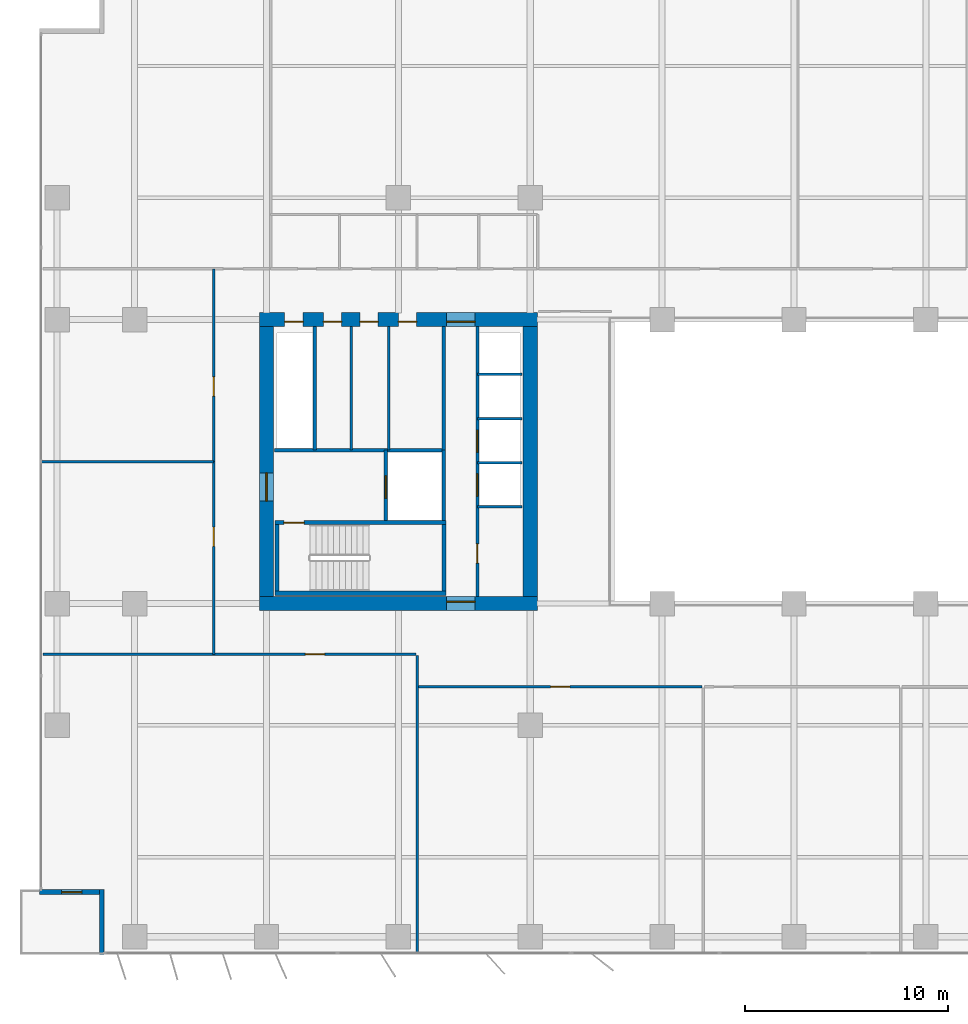
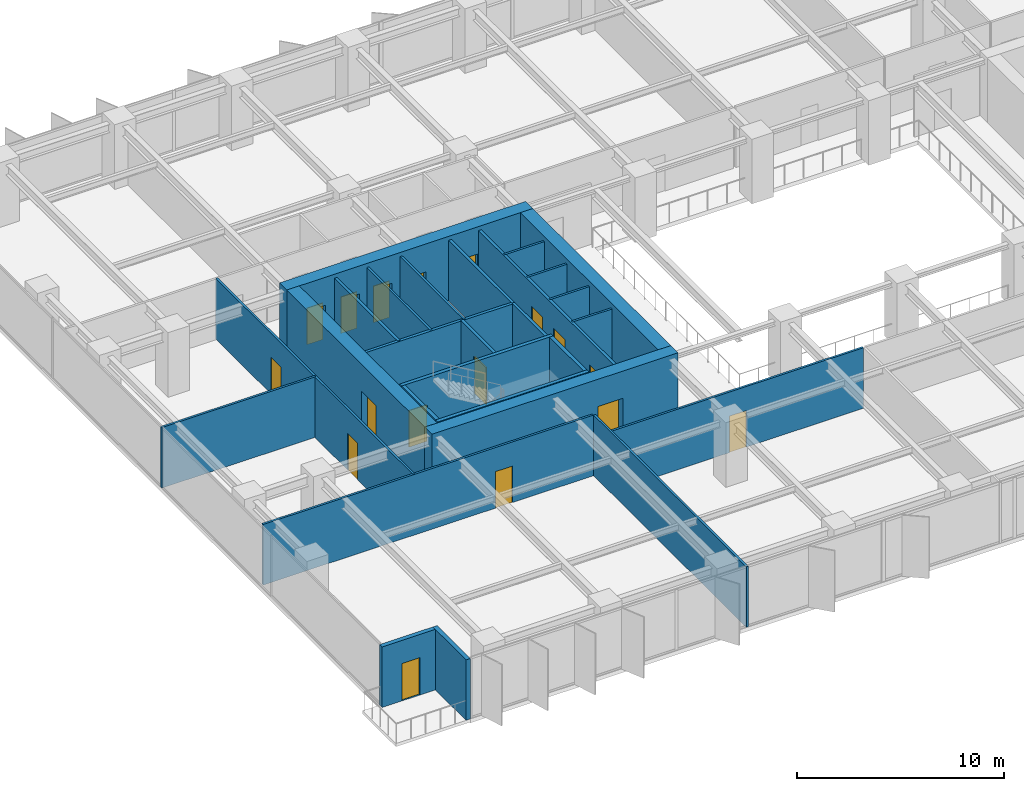
# One storey, part 13 of 20: 28 walls, 17 doors, 17 openings.
"""IFC4 building model written with IfcOpenShell, lengths in metres."""

from ifc_helpers import new_model, si_unit, direction, frame, frame_2d, origin, place, context, subcontext, project, spatial, rectangle, extrude, material, layer, layer_set, type_object, element, fill, save


model = new_model("IFC4")

# Units and contexts
model_context = context("Model", 3, precision=1e-05, world=origin(), true_north=direction((0.0, 1.0)))
body_context = subcontext(model_context, "Body", "Model", "MODEL_VIEW")
ifc_project = project(units=[si_unit("LENGTHUNIT", "METRE"), si_unit("AREAUNIT", "SQUARE_METRE"), si_unit("VOLUMEUNIT", "CUBIC_METRE"), si_unit("PLANEANGLEUNIT", "RADIAN"), si_unit("MASSUNIT", "GRAM", prefix="KILO")], contexts=[model_context])

# Site, building, storey
site_placement = place(None, origin())
site = spatial("IfcSite", under=ifc_project, at=site_placement, CompositionType="ELEMENT")
building_placement = place(site_placement, origin())
building = spatial("IfcBuilding", under=site, at=building_placement, Name="Putna Gate Headquarters", CompositionType="ELEMENT")
storey_placement = place(building_placement, frame((0.0, 0.0, 105.0)))
storey = spatial("IfcBuildingStorey", under=building, at=storey_placement, Name="L25", CompositionType="ELEMENT", Elevation=105.0)

# Wall, opening, door
ifc_material_1 = material(Name="Concrete C60/75", Category="concrete")
ifc_layer_1 = layer(ifc_material_1, 0.699951171875)
ifc_layer_set_1 = layer_set([ifc_layer_1], Name="Concrete C60/75")
wall_type_1 = type_object("IfcWallType", Name="WALL-CORE-700", PredefinedType="SHEAR", material=ifc_layer_set_1)
wall_1_placement = place(storey_placement, frame((12.64990234375, 19.0, 0.0), z_axis=(0.0, 0.0, 1.0), x_axis=(1.0, 0.0, 0.0)))
wall_1 = element("IfcWall", 1, at=wall_1_placement, inside=storey, type_object=wall_type_1, Name="L25 WC Split Core Shear Wall S", PredefinedType="SHEAR", context=body_context, shape_type="SweptSolid", body=[
    extrude(rectangle(XDim=13.7001953125, YDim=0.699951171875, at=frame_2d((6.85009765625, 0.0))), origin(), (0.0, 0.0, 1.0), 3.800048828125),
])
opening_1_placement = place(wall_1_placement, frame((9.22998046875, 0.0, 0.0)))
opening_1 = element("IfcOpeningElement", 2, at=opening_1_placement, cuts=wall_1, Name="Opening FDD-140", PredefinedType="OPENING", context=body_context, shape_type="SweptSolid", body=[
    extrude(rectangle(XDim=1.39990234375, YDim=2.199951171875, at=frame_2d((0.699951171875, 1.10009765625))), frame((0.0, 0.35986328125, 0.0), z_axis=(0.0, -1.0, 0.0), x_axis=(1.0, 0.0, 0.0)), (0.0, 0.0, 1.0), 0.719970703125),
])
ifc_material_2 = material(Name="Double steel fire door", Category="steel")
door_type_1 = type_object("IfcDoorType", Name="DOOR-FIRE-DBL-1400", OperationType="DOUBLE_DOOR_SINGLE_SWING", PredefinedType="DOOR", material=ifc_material_2)
door_1_placement = place(opening_1_placement, origin())
door_1 = element("IfcDoor", 3, at=door_1_placement, inside=storey, type_object=door_type_1, Name="L25 West Lift Lobby South Door", OperationType="DOUBLE_DOOR_SINGLE_SWING", OverallHeight=2.199951171875, OverallWidth=1.39990234375, PredefinedType="DOOR", context=body_context, shape_type="SweptSolid", body=[
    extrude(rectangle(XDim=1.39990234375, YDim=2.199951171875, at=frame_2d((0.699951171875, 1.10009765625))), frame((0.0, 0.125, 0.0), z_axis=(0.0, -1.0, 0.0), x_axis=(1.0, 0.0, 0.0)), (0.0, 0.0, 1.0), 0.050048828125),
])
fill(opening_1, door_1)

# Wall, openings, doors
wall_2_placement = place(storey_placement, frame((12.64990234375, 33.0, 0.0), z_axis=(0.0, 0.0, 1.0), x_axis=(1.0, 0.0, 0.0)))
wall_2 = element("IfcWall", 4, at=wall_2_placement, inside=storey, type_object=wall_type_1, Name="L25 WC Split Core Shear Wall N", PredefinedType="SHEAR", context=body_context, shape_type="SweptSolid", body=[
    extrude(rectangle(XDim=13.7001953125, YDim=0.699951171875, at=frame_2d((6.85009765625, 0.0))), origin(), (0.0, 0.0, 1.0), 3.800048828125),
])
opening_2_placement = place(wall_2_placement, frame((1.25, 0.0, 0.0)))
opening_2 = element("IfcOpeningElement", 5, at=opening_2_placement, cuts=wall_2, Name="Opening RD-90", PredefinedType="OPENING", context=body_context, shape_type="SweptSolid", body=[
    extrude(rectangle(XDim=0.89990234375, YDim=2.14990234375, at=frame_2d((0.449951171875, 1.074951171875))), frame((0.0, 0.35986328125, 0.0), z_axis=(0.0, -1.0, 0.0), x_axis=(1.0, 0.0, 0.0)), (0.0, 0.0, 1.0), 0.719970703125),
])
opening_3_placement = place(wall_2_placement, frame((3.14990234375, 0.0, 0.0)))
opening_3 = element("IfcOpeningElement", 6, at=opening_3_placement, cuts=wall_2, Name="Opening IDS-90", PredefinedType="OPENING", context=body_context, shape_type="SweptSolid", body=[
    extrude(rectangle(XDim=0.89990234375, YDim=2.14990234375, at=frame_2d((0.449951171875, 1.074951171875))), frame((0.0, 0.35986328125, 0.0), z_axis=(0.0, -1.0, 0.0), x_axis=(1.0, 0.0, 0.0)), (0.0, 0.0, 1.0), 0.719970703125),
])
opening_4_placement = place(wall_2_placement, frame((4.949951171875, 0.0, 0.0)))
opening_4 = element("IfcOpeningElement", 7, at=opening_4_placement, cuts=wall_2, Name="Opening IDS-90", PredefinedType="OPENING", context=body_context, shape_type="SweptSolid", body=[
    extrude(rectangle(XDim=0.89990234375, YDim=2.14990234375, at=frame_2d((0.449951171875, 1.074951171875))), frame((0.0, 0.35986328125, 0.0), z_axis=(0.0, -1.0, 0.0), x_axis=(1.0, 0.0, 0.0)), (0.0, 0.0, 1.0), 0.719970703125),
])
opening_5_placement = place(wall_2_placement, frame((6.85009765625, 0.0, 0.0)))
opening_5 = element("IfcOpeningElement", 8, at=opening_5_placement, cuts=wall_2, Name="Opening IDS-90", PredefinedType="OPENING", context=body_context, shape_type="SweptSolid", body=[
    extrude(rectangle(XDim=0.89990234375, YDim=2.14990234375, at=frame_2d((0.449951171875, 1.074951171875))), frame((0.0, 0.35986328125, 0.0), z_axis=(0.0, -1.0, 0.0), x_axis=(1.0, 0.0, 0.0)), (0.0, 0.0, 1.0), 0.719970703125),
])
opening_6_placement = place(wall_2_placement, frame((9.22998046875, 0.0, 0.0)))
opening_6 = element("IfcOpeningElement", 9, at=opening_6_placement, cuts=wall_2, Name="Opening FDD-140", PredefinedType="OPENING", context=body_context, shape_type="SweptSolid", body=[
    extrude(rectangle(XDim=1.39990234375, YDim=2.199951171875, at=frame_2d((0.699951171875, 1.10009765625))), frame((0.0, 0.35986328125, 0.0), z_axis=(0.0, -1.0, 0.0), x_axis=(1.0, 0.0, 0.0)), (0.0, 0.0, 1.0), 0.719970703125),
])
door_2_placement = place(opening_6_placement, origin())
door_2 = element("IfcDoor", 10, at=door_2_placement, inside=storey, type_object=door_type_1, Name="L25 West Lift Lobby North Door", OperationType="DOUBLE_DOOR_SINGLE_SWING", OverallHeight=2.199951171875, OverallWidth=1.39990234375, PredefinedType="DOOR", context=body_context, shape_type="SweptSolid", body=[
    extrude(rectangle(XDim=1.39990234375, YDim=2.199951171875, at=frame_2d((0.699951171875, 1.10009765625))), frame((0.0, -0.0751953125, 0.0), z_axis=(0.0, -1.0, 0.0), x_axis=(1.0, 0.0, 0.0)), (0.0, 0.0, 1.0), 0.050048828125),
])
fill(opening_6, door_2)
ifc_material_3 = material(Name="Fire-rated utility door")
door_type_2 = type_object("IfcDoorType", Name="DOOR-INT-900", OperationType="NOTDEFINED", PredefinedType="DOOR", material=ifc_material_3)
door_3_placement = place(opening_3_placement, origin())
door_3 = element("IfcDoor", 11, at=door_3_placement, inside=storey, type_object=door_type_2, Name="L25 Janitor Cupboard Door", OperationType="SINGLE_SWING_LEFT", OverallHeight=2.14990234375, OverallWidth=0.89990234375, PredefinedType="DOOR", context=body_context, shape_type="SweptSolid", body=[
    extrude(rectangle(XDim=0.89990234375, YDim=2.14990234375, at=frame_2d((0.449951171875, 1.074951171875))), frame((0.0, -0.0751953125, 0.0), z_axis=(0.0, -1.0, 0.0), x_axis=(1.0, 0.0, 0.0)), (0.0, 0.0, 1.0), 0.050048828125),
])
fill(opening_3, door_3)
door_4_placement = place(opening_4_placement, origin())
door_4 = element("IfcDoor", 12, at=door_4_placement, inside=storey, type_object=door_type_2, Name="L25 IT Patch Plant Door", OperationType="SINGLE_SWING_RIGHT", OverallHeight=2.14990234375, OverallWidth=0.89990234375, PredefinedType="DOOR", context=body_context, shape_type="SweptSolid", body=[
    extrude(rectangle(XDim=0.89990234375, YDim=2.14990234375, at=frame_2d((0.449951171875, 1.074951171875))), frame((0.0, -0.0751953125, 0.0), z_axis=(0.0, -1.0, 0.0), x_axis=(1.0, 0.0, 0.0)), (0.0, 0.0, 1.0), 0.050048828125),
])
fill(opening_4, door_4)
door_5_placement = place(opening_5_placement, origin())
door_5 = element("IfcDoor", 13, at=door_5_placement, inside=storey, type_object=door_type_2, Name="L25 Building Records Store Door", OperationType="SINGLE_SWING_LEFT", OverallHeight=2.14990234375, OverallWidth=0.89990234375, PredefinedType="DOOR", context=body_context, shape_type="SweptSolid", body=[
    extrude(rectangle(XDim=0.89990234375, YDim=2.14990234375, at=frame_2d((0.449951171875, 1.074951171875))), frame((0.0, -0.0751953125, 0.0), z_axis=(0.0, -1.0, 0.0), x_axis=(1.0, 0.0, 0.0)), (0.0, 0.0, 1.0), 0.050048828125),
])
fill(opening_5, door_5)
ifc_material_4 = material(Name="Steel riser access fire door", Category="steel")
door_type_3 = type_object("IfcDoorType", Name="DOOR-RISER-900", OperationType="NOTDEFINED", PredefinedType="DOOR", material=ifc_material_4)
door_6_placement = place(opening_2_placement, origin())
door_6 = element("IfcDoor", 14, at=door_6_placement, inside=storey, type_object=door_type_3, Name="L25 West Riser Access Door", OperationType="SINGLE_SWING_RIGHT", OverallHeight=2.14990234375, OverallWidth=0.89990234375, PredefinedType="DOOR", context=body_context, shape_type="SweptSolid", body=[
    extrude(rectangle(XDim=0.89990234375, YDim=2.14990234375, at=frame_2d((0.449951171875, 1.074951171875))), frame((0.0, -0.0751953125, 0.0), z_axis=(0.0, -1.0, 0.0), x_axis=(1.0, 0.0, 0.0)), (0.0, 0.0, 1.0), 0.050048828125),
])
fill(opening_2, door_6)

# Wall, opening, door
wall_3_placement = place(storey_placement, frame((13.0, 19.35009765625, 0.0), z_axis=(0.0, 0.0, 1.0), x_axis=(0.0, 1.0, 0.0)))
wall_3 = element("IfcWall", 15, at=wall_3_placement, inside=storey, type_object=wall_type_1, Name="L25 WC Split Core Shear Wall W", PredefinedType="SHEAR", context=body_context, shape_type="SweptSolid", body=[
    extrude(rectangle(XDim=13.2998046875, YDim=0.699951171875, at=frame_2d((6.64990234375, 0.0))), origin(), (0.0, 0.0, 1.0), 3.800048828125),
])
opening_7_placement = place(wall_3_placement, frame((4.699951171875, 0.0, 0.0)))
opening_7 = element("IfcOpeningElement", 16, at=opening_7_placement, cuts=wall_3, Name="Opening FDD-140", PredefinedType="OPENING", context=body_context, shape_type="SweptSolid", body=[
    extrude(rectangle(XDim=1.39990234375, YDim=2.199951171875, at=frame_2d((0.699951171875, 1.10009765625))), frame((0.0, 0.35986328125, 0.0), z_axis=(0.0, -1.0, 0.0), x_axis=(1.0, 0.0, 0.0)), (0.0, 0.0, 1.0), 0.719970703125),
])
door_7_placement = place(opening_7_placement, origin())
door_7 = element("IfcDoor", 17, at=door_7_placement, inside=storey, type_object=door_type_1, Name="L25 West Firefighting Lobby Door", OperationType="DOUBLE_DOOR_SINGLE_SWING", OverallHeight=2.199951171875, OverallWidth=1.39990234375, PredefinedType="DOOR", context=body_context, shape_type="SweptSolid", body=[
    extrude(rectangle(XDim=1.39990234375, YDim=2.199951171875, at=frame_2d((0.699951171875, 1.10009765625))), frame((0.0, 0.02490234375, 0.0), z_axis=(0.0, -1.0, 0.0), x_axis=(1.0, 0.0, 0.0)), (0.0, 0.0, 1.0), 0.050048828125),
])
fill(opening_7, door_7)

# Walls
wall_4_placement = place(storey_placement, frame((26.0, 19.35009765625, 0.0), z_axis=(0.0, 0.0, 1.0), x_axis=(0.0, 1.0, 0.0)))
element("IfcWall", 18, at=wall_4_placement, inside=storey, type_object=wall_type_1, Name="L25 WC Split Core Shear Wall E", PredefinedType="SHEAR", context=body_context, shape_type="SweptSolid", body=[
    extrude(rectangle(XDim=13.2998046875, YDim=0.699951171875, at=frame_2d((6.64990234375, 0.0))), origin(), (0.0, 0.0, 1.0), 3.800048828125),
])
ifc_material_5 = material(Name="Precast concrete C40/50", Category="concrete")
ifc_layer_2 = layer(ifc_material_5, 0.239990234375)
ifc_layer_set_2 = layer_set([ifc_layer_2], Name="Precast concrete C40/50")
wall_type_2 = type_object("IfcWallType", Name="WALL-EXT-TERR-240", PredefinedType="STANDARD", material=ifc_layer_set_2)
wall_5_placement = place(storey_placement, frame((4.8798828125, 1.699951171875, 0.0), z_axis=(0.0, 0.0, 1.0), x_axis=(0.0, 1.0, 0.0)))
element("IfcWall", 19, at=wall_5_placement, inside=storey, type_object=wall_type_2, Name="L25 Corner Notch Return Wall SW-V", PredefinedType="STANDARD", context=body_context, shape_type="SweptSolid", body=[
    extrude(rectangle(XDim=3.199951171875, YDim=0.239990234375, at=frame_2d((1.60009765625, 0.0))), origin(), (0.0, 0.0, 1.0), 3.56494140625),
])

# Wall, opening, door
wall_6_placement = place(storey_placement, frame((5.0, 4.780029296875, 0.0), z_axis=(0.0, 0.0, 1.0), x_axis=(-1.0, 0.0, 0.0)))
wall_6 = element("IfcWall", 20, at=wall_6_placement, inside=storey, type_object=wall_type_2, Name="L25 Corner Notch Return Wall SW-H", PredefinedType="STANDARD", context=body_context, shape_type="SweptSolid", body=[
    extrude(rectangle(XDim=3.199951171875, YDim=0.239990234375, at=frame_2d((1.60009765625, 0.0))), origin(), (0.0, 0.0, 1.0), 3.56494140625),
])
opening_8_placement = place(wall_6_placement, frame((1.10009765625, 0.0, 0.0)))
opening_8 = element("IfcOpeningElement", 21, at=opening_8_placement, cuts=wall_6, Name="Opening TRD-1", PredefinedType="OPENING", context=body_context, shape_type="SweptSolid", body=[
    extrude(rectangle(XDim=1.0, YDim=2.199951171875, at=frame_2d((0.5, 1.10009765625))), frame((0.0, 0.1298828125, 0.0), z_axis=(0.0, -1.0, 0.0), x_axis=(1.0, 0.0, 0.0)), (0.0, 0.0, 1.0), 0.260009765625),
])
ifc_material_6 = material(Name="Thermally broken bronze glazed terrace door")
door_type_4 = type_object("IfcDoorType", Name="DOOR-TERR-EXT-1000", OperationType="NOTDEFINED", PredefinedType="DOOR", material=ifc_material_6)
door_8_placement = place(opening_8_placement, origin())
door_8 = element("IfcDoor", 22, at=door_8_placement, inside=storey, type_object=door_type_4, Name="L25 Spiral Sky Terrace Door SW", OperationType="SINGLE_SWING_LEFT", OverallHeight=2.199951171875, OverallWidth=1.0, PredefinedType="DOOR", context=body_context, shape_type="SweptSolid", body=[
    extrude(rectangle(XDim=1.0, YDim=2.199951171875, at=frame_2d((0.5, 1.10009765625))), frame((0.0, 0.02490234375, 0.0), z_axis=(0.0, -1.0, 0.0), x_axis=(1.0, 0.0, 0.0)), (0.0, 0.0, 1.0), 0.050048828125),
])
fill(opening_8, door_8)

# Walls
ifc_material_7 = material(Name="Acoustic gypsum board on metal stud")
ifc_layer_3 = layer(ifc_material_7, 0.1201171875)
ifc_layer_set_3 = layer_set([ifc_layer_3], Name="Acoustic gypsum board on metal stud")
wall_type_3 = type_object("IfcWallType", Name="WALL-PART-120", PredefinedType="PARTITIONING", material=ifc_layer_set_3)
wall_7_placement = place(storey_placement, frame((20.430908203125, 1.719970703125, 0.0), z_axis=(0.0, 0.0, 1.0), x_axis=(0.0, 1.0, 0.0)))
element("IfcWall", 23, at=wall_7_placement, inside=storey, type_object=wall_type_3, Name="L25 Interior Wall PART-L25-SB-DIV-01", PredefinedType="PARTITIONING", context=body_context, shape_type="SweptSolid", body=[
    extrude(rectangle(XDim=14.719970703125, YDim=0.1201171875, at=frame_2d((7.35986328125, 0.0))), origin(), (0.0, 0.0, 1.0), 3.56494140625),
])
wall_8_placement = place(storey_placement, frame((1.820068359375, 26.0, 0.0), z_axis=(0.0, 0.0, 1.0), x_axis=(1.0, 0.0, 0.0)))
element("IfcWall", 24, at=wall_8_placement, inside=storey, type_object=wall_type_3, Name="L25 Interior Wall PART-L25-WW-DIV-1", PredefinedType="PARTITIONING", context=body_context, shape_type="SweptSolid", body=[
    extrude(rectangle(XDim=8.579833984375, YDim=0.1201171875, at=frame_2d((4.2900390625, 0.0))), origin(), (0.0, 0.0, 1.0), 3.56494140625),
])
ifc_material_8 = material(Name="Fire-rated shaftwall gypsum board on metal stud")
ifc_layer_4 = layer(ifc_material_8, 0.1201171875)
ifc_layer_set_4 = layer_set([ifc_layer_4], Name="Fire-rated shaftwall gypsum board on metal stud")
wall_type_4 = type_object("IfcWallType", Name="WALL-PART-120-EI120", PredefinedType="PARTITIONING", material=ifc_layer_set_4)
for number, where, z_axis, x_axis, name in (
    (25, (23.39990234375, 25.949951171875, 0.0), (0.0, 0.0, 1.0), (1.0, 0.0, 0.0), "L25 Interior Wall CWINT-L25-WC-LF05-DIV"),
    (26, (23.39990234375, 28.1201171875, 0.0), (0.0, 0.0, 1.0), (1.0, 0.0, 0.0), "L25 Interior Wall CWINT-L25-WC-LF06-DIV"),
    (27, (23.39990234375, 30.31005859375, 0.0), (0.0, 0.0, 1.0), (1.0, 0.0, 0.0), "L25 Interior Wall CWINT-L25-WC-LF09-DIV"),
):
    element("IfcWall", number, at=place(storey_placement, frame(where, z_axis=z_axis, x_axis=x_axis)), inside=storey, type_object=wall_type_4, Name=name, PredefinedType="PARTITIONING", context=body_context, shape_type="SweptSolid", body=[
        extrude(rectangle(XDim=2.2001953125, YDim=0.1201171875, at=frame_2d((1.10009765625, 0.0))), origin(), (0.0, 0.0, 1.0), 3.56494140625),
    ])
ifc_material_9 = material(Name="Fire-rated gypsum board on metal stud")
ifc_layer_5 = layer(ifc_material_9, 0.1201171875)
ifc_layer_set_5 = layer_set([ifc_layer_5], Name="Fire-rated gypsum board on metal stud")
wall_type_5 = type_object("IfcWallType", Name="WALL-PART-120-RATED", PredefinedType="PARTITIONING", material=ifc_layer_set_5)
for number, where, z_axis, x_axis, name in (
    (28, (17.169921875, 26.56005859375, 0.0), (0.0, 0.0, 1.0), (0.0, 1.0, 0.0), "L25 Interior Wall CWINT-L25-WC-K2-D1"),
    (29, (19.02001953125, 26.56005859375, 0.0), (0.0, 0.0, 1.0), (0.0, 1.0, 0.0), "L25 Interior Wall CWINT-L25-WC-K2-D2"),
):
    element("IfcWall", number, at=place(storey_placement, frame(where, z_axis=z_axis, x_axis=x_axis)), inside=storey, type_object=wall_type_5, Name=name, PredefinedType="PARTITIONING", context=body_context, shape_type="SweptSolid", body=[
        extrude(rectangle(XDim=6.08984375, YDim=0.1201171875, at=frame_2d((3.044921875, 0.0))), origin(), (0.0, 0.0, 1.0), 3.56494140625),
    ])
wall_9_placement = place(storey_placement, frame((23.39990234375, 23.780029296875, 0.0), z_axis=(0.0, 0.0, 1.0), x_axis=(1.0, 0.0, 0.0)))
element("IfcWall", 30, at=wall_9_placement, inside=storey, type_object=wall_type_5, Name="L25 Interior Wall CWINT-L25-WC-LF02-DIV", PredefinedType="PARTITIONING", context=body_context, shape_type="SweptSolid", body=[
    extrude(rectangle(XDim=2.2001953125, YDim=0.1201171875, at=frame_2d((1.10009765625, 0.0))), origin(), (0.0, 0.0, 1.0), 3.56494140625),
])

# Wall, opening, door
wall_10_placement = place(storey_placement, frame((1.97998046875, 16.5, 0.0), z_axis=(0.0, 0.0, 1.0), x_axis=(1.0, 0.0, 0.0)))
wall_10 = element("IfcWall", 31, at=wall_10_placement, inside=storey, type_object=wall_type_5, Name="L25 Interior Wall PART-L25-SB-CW-01", PredefinedType="PARTITIONING", context=body_context, shape_type="SweptSolid", body=[
    extrude(rectangle(XDim=18.390869140625, YDim=0.1201171875, at=frame_2d((9.1953125, 0.0))), origin(), (0.0, 0.0, 1.0), 3.56494140625),
])
opening_9_placement = place(wall_10_placement, frame((12.930419921875, 0.0, 0.0)))
opening_9 = element("IfcOpeningElement", 32, at=opening_9_placement, cuts=wall_10, Name="Opening FD-95", PredefinedType="OPENING", context=body_context, shape_type="SweptSolid", body=[
    extrude(rectangle(XDim=0.949951171875, YDim=2.14990234375, at=frame_2d((0.47509765625, 1.074951171875))), frame((0.0, 0.070068359375, 0.0), z_axis=(0.0, -1.0, 0.0), x_axis=(1.0, 0.0, 0.0)), (0.0, 0.0, 1.0), 0.14013671875),
])
ifc_material_10 = material(Name="Acoustic timber fire door", Category="wood")
door_type_5 = type_object("IfcDoorType", Name="DOOR-FIRE-950", OperationType="NOTDEFINED", PredefinedType="DOOR", material=ifc_material_10)
door_9_placement = place(opening_9_placement, origin())
door_9 = element("IfcDoor", 33, at=door_9_placement, inside=storey, type_object=door_type_5, Name="L25 Cellular Office 2 Door", OperationType="SINGLE_SWING_RIGHT", OverallHeight=2.14990234375, OverallWidth=0.949951171875, PredefinedType="DOOR", context=body_context, shape_type="SweptSolid", body=[
    extrude(rectangle(XDim=0.949951171875, YDim=2.14990234375, at=frame_2d((0.47509765625, 1.074951171875))), frame((0.0, 0.02490234375, 0.0), z_axis=(0.0, -1.0, 0.0), x_axis=(1.0, 0.0, 0.0)), (0.0, 0.0, 1.0), 0.050048828125),
])
fill(opening_9, door_9)

wall_11_placement = place(storey_placement, frame((20.49072265625, 14.89990234375, 0.0), z_axis=(0.0, 0.0, 1.0), x_axis=(1.0, 0.0, 0.0)))
wall_11 = element("IfcWall", 34, at=wall_11_placement, inside=storey, type_object=wall_type_5, Name="L25 Interior Wall PART-L25-SB-CW-02", PredefinedType="PARTITIONING", context=body_context, shape_type="SweptSolid", body=[
    extrude(rectangle(XDim=13.977294921875, YDim=0.1201171875, at=frame_2d((6.98876953125, 0.0))), origin(), (0.0, 0.0, 1.0), 3.56494140625),
])
opening_10_placement = place(wall_11_placement, frame((6.513671875, 0.0, 0.0)))
opening_10 = element("IfcOpeningElement", 35, at=opening_10_placement, cuts=wall_11, Name="Opening FD-95", PredefinedType="OPENING", context=body_context, shape_type="SweptSolid", body=[
    extrude(rectangle(XDim=0.949951171875, YDim=2.14990234375, at=frame_2d((0.47509765625, 1.074951171875))), frame((0.0, 0.070068359375, 0.0), z_axis=(0.0, -1.0, 0.0), x_axis=(1.0, 0.0, 0.0)), (0.0, 0.0, 1.0), 0.14013671875),
])
door_10_placement = place(opening_10_placement, origin())
door_10 = element("IfcDoor", 36, at=door_10_placement, inside=storey, type_object=door_type_5, Name="L25 Collaborative Breakout Lounge 1 Door", OperationType="SINGLE_SWING_LEFT", OverallHeight=2.14990234375, OverallWidth=0.949951171875, PredefinedType="DOOR", context=body_context, shape_type="SweptSolid", body=[
    extrude(rectangle(XDim=0.949951171875, YDim=2.14990234375, at=frame_2d((0.47509765625, 1.074951171875))), frame((0.0, 0.02490234375, 0.0), z_axis=(0.0, -1.0, 0.0), x_axis=(1.0, 0.0, 0.0)), (0.0, 0.0, 1.0), 0.050048828125),
])
fill(opening_10, door_10)

wall_12_placement = place(storey_placement, frame((10.39990234375, 16.5, 0.0), z_axis=(0.0, 0.0, 1.0), x_axis=(0.0, 1.0, 0.0)))
wall_12 = element("IfcWall", 37, at=wall_12_placement, inside=storey, type_object=wall_type_5, Name="L25 Interior Wall PART-L25-WW-CW-1", PredefinedType="PARTITIONING", context=body_context, shape_type="SweptSolid", body=[
    extrude(rectangle(XDim=9.5, YDim=0.1201171875, at=frame_2d((4.75, 0.0))), origin(), (0.0, 0.0, 1.0), 3.56494140625),
])
opening_11_placement = place(wall_12_placement, frame((5.324951171875, 0.0, 0.0)))
opening_11 = element("IfcOpeningElement", 38, at=opening_11_placement, cuts=wall_12, Name="Opening FD-95", PredefinedType="OPENING", context=body_context, shape_type="SweptSolid", body=[
    extrude(rectangle(XDim=0.949951171875, YDim=2.14990234375, at=frame_2d((0.47509765625, 1.074951171875))), frame((0.0, 0.070068359375, 0.0), z_axis=(0.0, -1.0, 0.0), x_axis=(1.0, 0.0, 0.0)), (0.0, 0.0, 1.0), 0.14013671875),
])
door_11_placement = place(opening_11_placement, origin())
door_11 = element("IfcDoor", 39, at=door_11_placement, inside=storey, type_object=door_type_5, Name="L25 West Project Meeting Room 1 Door", OperationType="SINGLE_SWING_LEFT", OverallHeight=2.14990234375, OverallWidth=0.949951171875, PredefinedType="DOOR", context=body_context, shape_type="SweptSolid", body=[
    extrude(rectangle(XDim=0.949951171875, YDim=2.14990234375, at=frame_2d((0.47509765625, 1.074951171875))), frame((0.0, 0.02490234375, 0.0), z_axis=(0.0, -1.0, 0.0), x_axis=(1.0, 0.0, 0.0)), (0.0, 0.0, 1.0), 0.050048828125),
])
fill(opening_11, door_11)

wall_13_placement = place(storey_placement, frame((10.39990234375, 26.0, 0.0), z_axis=(0.0, 0.0, 1.0), x_axis=(0.0, 1.0, 0.0)))
wall_13 = element("IfcWall", 40, at=wall_13_placement, inside=storey, type_object=wall_type_5, Name="L25 Interior Wall PART-L25-WW-CW-2", PredefinedType="PARTITIONING", context=body_context, shape_type="SweptSolid", body=[
    extrude(rectangle(XDim=9.5, YDim=0.1201171875, at=frame_2d((4.75, 0.0))), origin(), (0.0, 0.0, 1.0), 3.56494140625),
])
opening_12_placement = place(wall_13_placement, frame((3.22509765625, 0.0, 0.0)))
opening_12 = element("IfcOpeningElement", 41, at=opening_12_placement, cuts=wall_13, Name="Opening FD-95", PredefinedType="OPENING", context=body_context, shape_type="SweptSolid", body=[
    extrude(rectangle(XDim=0.949951171875, YDim=2.14990234375, at=frame_2d((0.47509765625, 1.074951171875))), frame((0.0, 0.070068359375, 0.0), z_axis=(0.0, -1.0, 0.0), x_axis=(1.0, 0.0, 0.0)), (0.0, 0.0, 1.0), 0.14013671875),
])
door_12_placement = place(opening_12_placement, origin())
door_12 = element("IfcDoor", 42, at=door_12_placement, inside=storey, type_object=door_type_5, Name="L25 West Project Meeting Room 2 Door", OperationType="SINGLE_SWING_RIGHT", OverallHeight=2.14990234375, OverallWidth=0.949951171875, PredefinedType="DOOR", context=body_context, shape_type="SweptSolid", body=[
    extrude(rectangle(XDim=0.949951171875, YDim=2.14990234375, at=frame_2d((0.47509765625, 1.074951171875))), frame((0.0, 0.02490234375, 0.0), z_axis=(0.0, -1.0, 0.0), x_axis=(1.0, 0.0, 0.0)), (0.0, 0.0, 1.0), 0.050048828125),
])
fill(opening_12, door_12)

# Wall
ifc_material_11 = material(Name="Concrete C40/50", Category="concrete")
ifc_layer_6 = layer(ifc_material_11, 0.159912109375)
ifc_layer_set_6 = layer_set([ifc_layer_6], Name="Concrete C40/50")
wall_type_6 = type_object("IfcWallType", Name="WALL-SHAFT-160", PredefinedType="STANDARD", material=ifc_layer_set_6)
wall_14_placement = place(storey_placement, frame((21.739990234375, 23.090087890625, 0.0), z_axis=(0.0, 0.0, 1.0), x_axis=(0.0, 1.0, 0.0)))
element("IfcWall", 43, at=wall_14_placement, inside=storey, type_object=wall_type_6, Name="L25 Interior Wall CWINT-L25-WC-FFL-E", PredefinedType="STANDARD", context=body_context, shape_type="SweptSolid", body=[
    extrude(rectangle(XDim=3.469970703125, YDim=0.159912109375, at=frame_2d((1.73486328125, 0.0))), origin(), (0.0, 0.0, 1.0), 3.56494140625),
])

# Wall, opening, door
wall_15_placement = place(storey_placement, frame((18.8798828125, 23.090087890625, 0.0), z_axis=(0.0, 0.0, 1.0), x_axis=(0.0, 1.0, 0.0)))
wall_15 = element("IfcWall", 44, at=wall_15_placement, inside=storey, type_object=wall_type_6, Name="L25 Interior Wall CWINT-L25-WC-LF13-W", PredefinedType="STANDARD", context=body_context, shape_type="SweptSolid", body=[
    extrude(rectangle(XDim=3.469970703125, YDim=0.159912109375, at=frame_2d((1.73486328125, 0.0))), origin(), (0.0, 0.0, 1.0), 3.56494140625),
])
opening_13_placement = place(wall_15_placement, frame((1.10009765625, 0.0, 0.0)))
opening_13 = element("IfcOpeningElement", 45, at=opening_13_placement, cuts=wall_15, Name="Opening LD-1", PredefinedType="OPENING", context=body_context, shape_type="SweptSolid", body=[
    extrude(rectangle(XDim=1.10009765625, YDim=2.199951171875, at=frame_2d((0.550048828125, 1.10009765625))), frame((0.0, 0.08984375, 0.0), z_axis=(0.0, -1.0, 0.0), x_axis=(1.0, 0.0, 0.0)), (0.0, 0.0, 1.0), 0.179931640625),
])
ifc_material_12 = material(Name="Brushed bronze stainless lift landing door")
door_type_6 = type_object("IfcDoorType", Name="DOOR-LIFT-1100", OperationType="DOUBLE_DOOR_SLIDING", PredefinedType="DOOR", material=ifc_material_12)
door_13_placement = place(opening_13_placement, origin())
door_13 = element("IfcDoor", 46, at=door_13_placement, inside=storey, type_object=door_type_6, Name="L25 Lift Landing Door LD-13", OperationType="DOUBLE_DOOR_SLIDING", OverallHeight=2.199951171875, OverallWidth=1.10009765625, PredefinedType="DOOR", context=body_context, shape_type="SweptSolid", body=[
    extrude(rectangle(XDim=1.10009765625, YDim=2.199951171875, at=frame_2d((0.550048828125, 1.10009765625))), frame((0.0, 0.02490234375, 0.0), z_axis=(0.0, -1.0, 0.0), x_axis=(1.0, 0.0, 0.0)), (0.0, 0.0, 1.0), 0.050048828125),
])
fill(opening_13, door_13)

# Walls
wall_16_placement = place(storey_placement, frame((13.39990234375, 26.56005859375, 0.0), z_axis=(0.0, 0.0, 1.0), x_axis=(1.0, 0.0, 0.0)))
element("IfcWall", 47, at=wall_16_placement, inside=storey, type_object=wall_type_6, Name="L25 Interior Wall CWINT-L25-WC-FFL-N", PredefinedType="STANDARD", context=body_context, shape_type="SweptSolid", body=[
    extrude(rectangle(XDim=8.340087890625, YDim=0.159912109375, at=frame_2d((4.169921875, 0.0))), origin(), (0.0, 0.0, 1.0), 3.56494140625),
])
for number, where, z_axis, x_axis, name in (
    (48, (15.3798828125, 26.56005859375, 0.0), (0.0, 0.0, 1.0), (0.0, 1.0, 0.0), "L25 Interior Wall CWINT-L25-WC-RISER-E"),
    (49, (21.739990234375, 26.56005859375, 0.0), (0.0, 0.0, 1.0), (0.0, 1.0, 0.0), "L25 Interior Wall CWINT-L25-WC-LOB-W"),
):
    element("IfcWall", number, at=place(storey_placement, frame(where, z_axis=z_axis, x_axis=x_axis)), inside=storey, type_object=wall_type_6, Name=name, PredefinedType="STANDARD", context=body_context, shape_type="SweptSolid", body=[
        extrude(rectangle(XDim=6.08984375, YDim=0.159912109375, at=frame_2d((3.044921875, 0.0))), origin(), (0.0, 0.0, 1.0), 3.56494140625),
    ])

# Wall, openings, doors
wall_17_placement = place(storey_placement, frame((23.39990234375, 19.35009765625, 0.0), z_axis=(0.0, 0.0, 1.0), x_axis=(0.0, 1.0, 0.0)))
wall_17 = element("IfcWall", 50, at=wall_17_placement, inside=storey, type_object=wall_type_6, Name="L25 Interior Wall CWINT-L25-WC-PL-WALL", PredefinedType="STANDARD", context=body_context, shape_type="SweptSolid", body=[
    extrude(rectangle(XDim=13.2998046875, YDim=0.159912109375, at=frame_2d((6.64990234375, 0.0))), origin(), (0.0, 0.0, 1.0), 3.56494140625),
])
opening_14_placement = place(wall_17_placement, frame((1.64990234375, 0.0, 0.0)))
opening_14 = element("IfcOpeningElement", 51, at=opening_14_placement, cuts=wall_17, Name="Opening IDS-95", PredefinedType="OPENING", context=body_context, shape_type="SweptSolid", body=[
    extrude(rectangle(XDim=0.949951171875, YDim=2.14990234375, at=frame_2d((0.47509765625, 1.074951171875))), frame((0.0, 0.08984375, 0.0), z_axis=(0.0, -1.0, 0.0), x_axis=(1.0, 0.0, 0.0)), (0.0, 0.0, 1.0), 0.179931640625),
])
opening_15_placement = place(wall_17_placement, frame((4.949951171875, 0.0, 0.0)))
opening_15 = element("IfcOpeningElement", 52, at=opening_15_placement, cuts=wall_17, Name="Opening LD-1", PredefinedType="OPENING", context=body_context, shape_type="SweptSolid", body=[
    extrude(rectangle(XDim=1.10009765625, YDim=2.199951171875, at=frame_2d((0.550048828125, 1.10009765625))), frame((0.0, 0.08984375, 0.0), z_axis=(0.0, -1.0, 0.0), x_axis=(1.0, 0.0, 0.0)), (0.0, 0.0, 1.0), 0.179931640625),
])
opening_16_placement = place(wall_17_placement, frame((7.10009765625, 0.0, 0.0)))
opening_16 = element("IfcOpeningElement", 53, at=opening_16_placement, cuts=wall_17, Name="Opening LD-1", PredefinedType="OPENING", context=body_context, shape_type="SweptSolid", body=[
    extrude(rectangle(XDim=1.10009765625, YDim=2.199951171875, at=frame_2d((0.550048828125, 1.10009765625))), frame((0.0, 0.08984375, 0.0), z_axis=(0.0, -1.0, 0.0), x_axis=(1.0, 0.0, 0.0)), (0.0, 0.0, 1.0), 0.179931640625),
])
ifc_material_13 = material(Name="Fire-rated service timber door", Category="wood")
door_type_7 = type_object("IfcDoorType", Name="DOOR-INT-950", OperationType="NOTDEFINED", PredefinedType="DOOR", material=ifc_material_13)
door_14_placement = place(opening_14_placement, origin())
door_14 = element("IfcDoor", 54, at=door_14_placement, inside=storey, type_object=door_type_7, Name="L25 Document Archive Door", OperationType="SINGLE_SWING_LEFT", OverallHeight=2.14990234375, OverallWidth=0.949951171875, PredefinedType="DOOR", context=body_context, shape_type="SweptSolid", body=[
    extrude(rectangle(XDim=0.949951171875, YDim=2.14990234375, at=frame_2d((0.47509765625, 1.074951171875))), frame((0.0, 0.02490234375, 0.0), z_axis=(0.0, -1.0, 0.0), x_axis=(1.0, 0.0, 0.0)), (0.0, 0.0, 1.0), 0.050048828125),
])
fill(opening_14, door_14)
door_15_placement = place(opening_15_placement, origin())
door_15 = element("IfcDoor", 55, at=door_15_placement, inside=storey, type_object=door_type_6, Name="L25 Lift Landing Door LD-05", OperationType="DOUBLE_DOOR_SLIDING", OverallHeight=2.199951171875, OverallWidth=1.10009765625, PredefinedType="DOOR", context=body_context, shape_type="SweptSolid", body=[
    extrude(rectangle(XDim=1.10009765625, YDim=2.199951171875, at=frame_2d((0.550048828125, 1.10009765625))), frame((0.0, 0.02490234375, 0.0), z_axis=(0.0, -1.0, 0.0), x_axis=(1.0, 0.0, 0.0)), (0.0, 0.0, 1.0), 0.050048828125),
])
fill(opening_15, door_15)
door_16_placement = place(opening_16_placement, origin())
door_16 = element("IfcDoor", 56, at=door_16_placement, inside=storey, type_object=door_type_6, Name="L25 Lift Landing Door LD-06", OperationType="DOUBLE_DOOR_SLIDING", OverallHeight=2.199951171875, OverallWidth=1.10009765625, PredefinedType="DOOR", context=body_context, shape_type="SweptSolid", body=[
    extrude(rectangle(XDim=1.10009765625, YDim=2.199951171875, at=frame_2d((0.550048828125, 1.10009765625))), frame((0.0, 0.02490234375, 0.0), z_axis=(0.0, -1.0, 0.0), x_axis=(1.0, 0.0, 0.0)), (0.0, 0.0, 1.0), 0.050048828125),
])
fill(opening_16, door_16)

# Wall
ifc_layer_7 = layer(ifc_material_11, 0.199951171875)
ifc_layer_set_7 = layer_set([ifc_layer_7], Name="Concrete C40/50")
wall_type_7 = type_object("IfcWallType", Name="WALL-SHAFT-RC200", PredefinedType="SHEAR", material=ifc_layer_set_7)
wall_18_placement = place(storey_placement, frame((13.409912109375, 19.510009765625, 0.0), z_axis=(0.0, 0.0, 1.0), x_axis=(1.0, 0.0, 0.0)))
element("IfcWall", 57, at=wall_18_placement, inside=storey, type_object=wall_type_7, Name="L25 Stair ST1 Structural Shaft Wall S", PredefinedType="SHEAR", context=body_context, shape_type="SweptSolid", body=[
    extrude(rectangle(XDim=8.43017578125, YDim=0.199951171875, at=frame_2d((4.215087890625, 0.0))), origin(), (0.0, 0.0, 1.0), 3.800048828125),
])

# Wall, opening, door
wall_19_placement = place(storey_placement, frame((13.409912109375, 22.989990234375, 0.0), z_axis=(0.0, 0.0, 1.0), x_axis=(1.0, 0.0, 0.0)))
wall_19 = element("IfcWall", 58, at=wall_19_placement, inside=storey, type_object=wall_type_7, Name="L25 Stair ST1 Structural Shaft Wall N", PredefinedType="SHEAR", context=body_context, shape_type="SweptSolid", body=[
    extrude(rectangle(XDim=8.43017578125, YDim=0.199951171875, at=frame_2d((4.215087890625, 0.0))), origin(), (0.0, 0.0, 1.0), 3.800048828125),
])
opening_17_placement = place(wall_19_placement, frame((0.449951171875, 0.0, 0.0)))
opening_17 = element("IfcOpeningElement", 59, at=opening_17_placement, cuts=wall_19, Name="Opening FD-100", PredefinedType="OPENING", context=body_context, shape_type="SweptSolid", body=[
    extrude(rectangle(XDim=1.0, YDim=2.14990234375, at=frame_2d((0.5, 1.074951171875))), frame((0.0, 0.10986328125, 0.0), z_axis=(0.0, -1.0, 0.0), x_axis=(1.0, 0.0, 0.0)), (0.0, 0.0, 1.0), 0.219970703125),
])
ifc_material_14 = material(Name="Powder-coated steel fire door", Category="steel")
door_type_8 = type_object("IfcDoorType", Name="DOOR-FIRE-1000", OperationType="NOTDEFINED", PredefinedType="DOOR", material=ifc_material_14)
door_17_placement = place(opening_17_placement, origin())
door_17 = element("IfcDoor", 60, at=door_17_placement, inside=storey, type_object=door_type_8, Name="L25 Stair ST1 Fire Door", OperationType="SINGLE_SWING_LEFT", OverallHeight=2.14990234375, OverallWidth=1.0, PredefinedType="DOOR", context=body_context, shape_type="SweptSolid", body=[
    extrude(rectangle(XDim=1.0, YDim=2.14990234375, at=frame_2d((0.5, 1.074951171875))), frame((0.0, 0.02490234375, 0.0), z_axis=(0.0, -1.0, 0.0), x_axis=(1.0, 0.0, 0.0)), (0.0, 0.0, 1.0), 0.050048828125),
])
fill(opening_17, door_17)

# Walls
for number, where, z_axis, x_axis, name in (
    (61, (13.510009765625, 19.610107421875, 0.0), (0.0, 0.0, 1.0), (0.0, 1.0, 0.0), "L25 Stair ST1 Structural Shaft Wall W"),
    (62, (21.739990234375, 19.610107421875, 0.0), (0.0, 0.0, 1.0), (0.0, 1.0, 0.0), "L25 Stair ST1 Structural Shaft Wall E"),
):
    element("IfcWall", number, at=place(storey_placement, frame(where, z_axis=z_axis, x_axis=x_axis)), inside=storey, type_object=wall_type_7, Name=name, PredefinedType="SHEAR", context=body_context, shape_type="SweptSolid", body=[
        extrude(rectangle(XDim=3.27978515625, YDim=0.199951171875, at=frame_2d((1.639892578125, 0.0))), origin(), (0.0, 0.0, 1.0), 3.800048828125),
    ])

save(model, "model.ifc")
